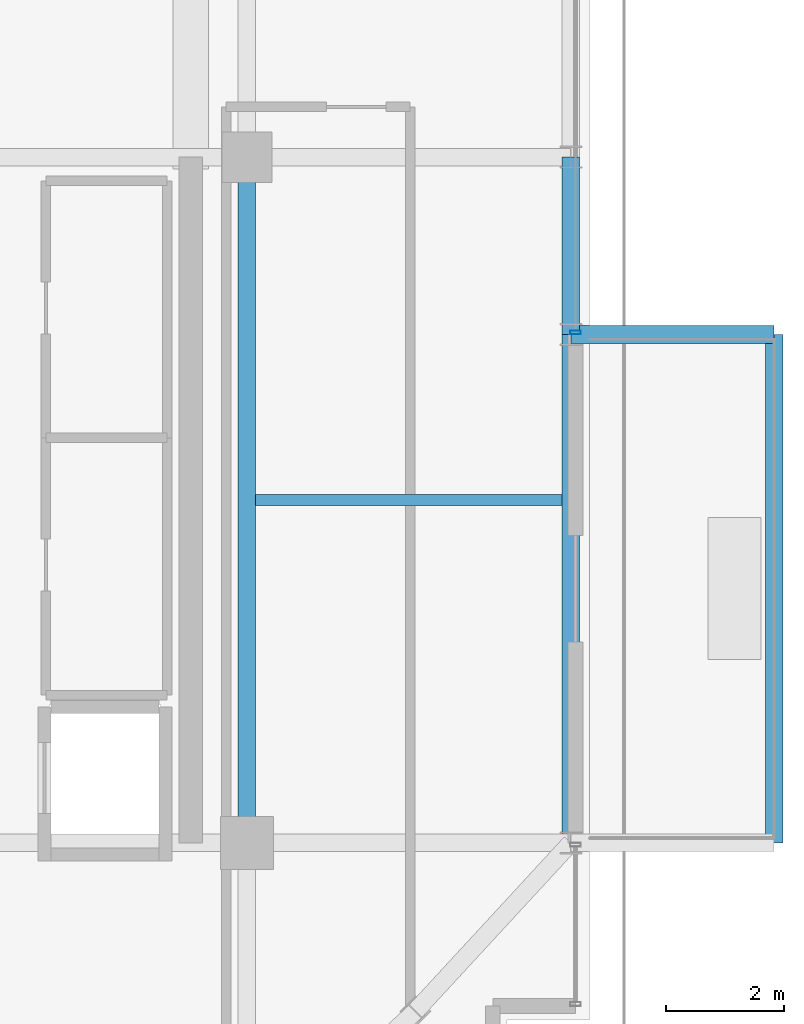
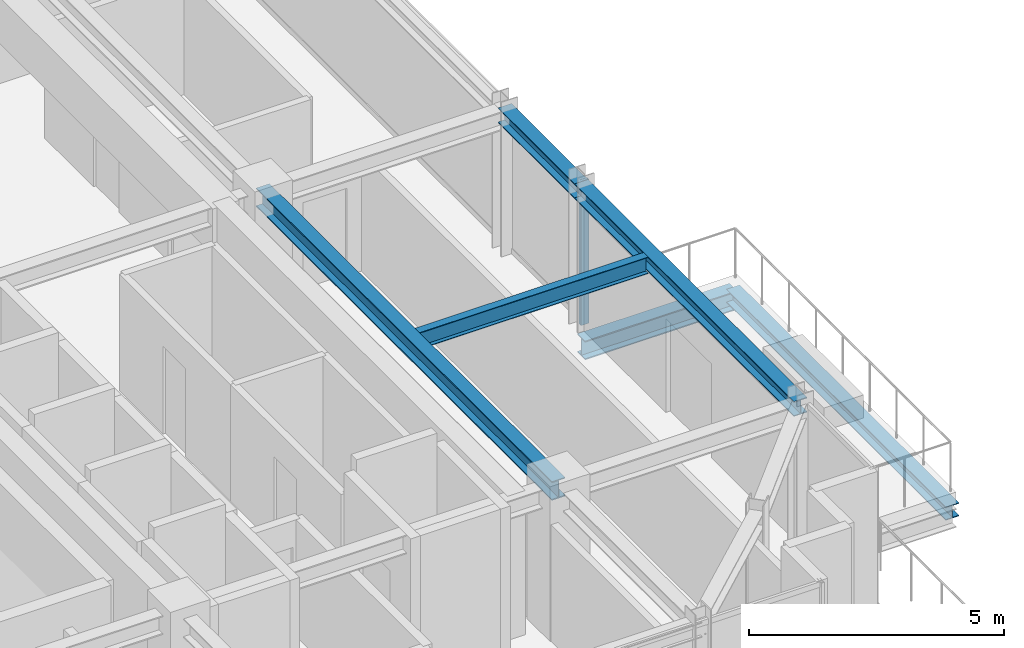
# One storey, part 13 of 32: 6 beams, 1 member, 1 element without a shape of its own.
"""IFC4 building model written with IfcOpenShell, lengths in metres."""

from ifc_helpers import new_model, si_unit, direction, frame, origin, origin_2d, place, context, subcontext, project, spatial, hollow_rectangle, i_section, extrude, source, transform, mapped, material, material_profile, profile_set, type_object, element, aggregate, save


model = new_model("IFC4")

# Units and contexts
model_context = context("Model", 3, precision=1e-05, world=origin(), true_north=direction((0.0, 1.0)))
body_context = subcontext(model_context, "Body", "Model", "MODEL_VIEW")
ifc_project = project(units=[si_unit("LENGTHUNIT", "METRE"), si_unit("AREAUNIT", "SQUARE_METRE"), si_unit("VOLUMEUNIT", "CUBIC_METRE"), si_unit("PLANEANGLEUNIT", "RADIAN"), si_unit("MASSUNIT", "GRAM", prefix="KILO")], contexts=[model_context])

# Site, building, storey
site_placement = place(None, origin())
site = spatial("IfcSite", under=ifc_project, at=site_placement, CompositionType="ELEMENT")
building_placement = place(site_placement, origin())
building = spatial("IfcBuilding", under=site, at=building_placement, Name="Nahalor Promenade Grand Hotel", CompositionType="ELEMENT")
storey_placement = place(building_placement, frame((0.0, 0.0, 266.300048828125)))
storey = spatial("IfcBuildingStorey", under=building, at=storey_placement, Name="L68", CompositionType="ELEMENT", Elevation=266.300048828125)

# Beams
ifc_material_1 = material(Name="Steel S355JR", Category="steel")
ifc_material_profile_1 = material_profile(ifc_material_1, i_section(OverallWidth=0.3, OverallDepth=0.32, WebThickness=0.0115, FlangeThickness=0.0205, at=origin_2d()), Name="HEB 320")
ifc_profile_set_1 = profile_set([ifc_material_profile_1], Name="Steel S355JR")
beam_type_1 = type_object("IfcBeamType", Name="Beam-BalcEdge-HEB320", PredefinedType="SPANDREL", material=ifc_profile_set_1)
shared_shape_1 = source(origin(), body_context, "Body", "SweptSolid", [
    extrude(i_section(OverallWidth=0.3, OverallDepth=0.32, WebThickness=0.0115, FlangeThickness=0.0205, at=origin_2d()), origin(), (0.0, 0.0, 1.0), 8.60009765625),
])
beam_1_placement = place(storey_placement, frame((25.919921875, -17.0, -0.43994140625), z_axis=(0.0, 1.0, 0.0), x_axis=(-1.0, 0.0, 0.0)))
element("IfcBeam", 1, at=beam_1_placement, inside=storey, type_object=beam_type_1, Name="BM-L68-BC-02-F", PredefinedType="SPANDREL", context=body_context, shape_type="MappedRepresentation", body=[
    mapped(shared_shape_1, transform((0.0, 0.0, 0.0), scale=1.0)),
])
ifc_material_profile_2 = material_profile(ifc_material_1, i_section(OverallWidth=0.3, OverallDepth=0.45, WebThickness=0.014, FlangeThickness=0.026, at=origin_2d()), Name="HEB 450")
ifc_profile_set_2 = profile_set([ifc_material_profile_2], Name="Steel S355JR")
beam_type_2 = type_object("IfcBeamType", Name="Beam-Outrigger-HEB450", PredefinedType="BEAM", material=ifc_profile_set_2)
shared_shape_2 = source(origin(), body_context, "Body", "SweptSolid", [
    extrude(i_section(OverallWidth=0.3, OverallDepth=0.45, WebThickness=0.014, FlangeThickness=0.026, at=origin_2d()), origin(), (0.0, 0.0, 1.0), 3.43994140625),
])
beam_2_placement = place(storey_placement, frame((22.47998046875, -8.39990234375, -0.505126953125), z_axis=(1.0, 0.0, 0.0), x_axis=(0.0, 1.0, 0.0)))
element("IfcBeam", 2, at=beam_2_placement, inside=storey, type_object=beam_type_2, Name="BM-L68-BC-02-2", PredefinedType="BEAM", context=body_context, shape_type="MappedRepresentation", body=[
    mapped(shared_shape_2, transform((0.0, 0.0, 0.0), scale=1.0)),
])
ifc_material_profile_3 = material_profile(ifc_material_1, i_section(OverallWidth=0.3, OverallDepth=0.45, WebThickness=0.014, FlangeThickness=0.026, at=origin_2d()), Name="HEB 450")
ifc_profile_set_3 = profile_set([ifc_material_profile_3], Name="Steel S355JR")
beam_type_3 = type_object("IfcBeamType", Name="Beam-Girder-HEB450", PredefinedType="BEAM", material=ifc_profile_set_3)
shared_shape_3 = source(origin(), body_context, "Body", "SweptSolid", [
    extrude(i_section(OverallWidth=0.3, OverallDepth=0.45, WebThickness=0.014, FlangeThickness=0.026, at=origin_2d()), origin(), (0.0, 0.0, 1.0), 11.60009765625),
])
beam_3_placement = place(storey_placement, frame((17.0, -17.0, 3.224853515625), z_axis=(0.0, 1.0, 0.0), x_axis=(-1.0, 0.0, 0.0)))
element("IfcBeam", 3, at=beam_3_placement, inside=storey, type_object=beam_type_3, Name="BM-L68-GY-5-1", PredefinedType="BEAM", context=body_context, shape_type="MappedRepresentation", body=[
    mapped(shared_shape_3, transform((0.0, 0.0, 0.0), scale=1.0)),
])
ifc_material_profile_4 = material_profile(ifc_material_1, i_section(OverallWidth=0.18, OverallDepth=0.4, WebThickness=0.0086, FlangeThickness=0.0135, at=origin_2d()), Name="IPE 400")
ifc_profile_set_4 = profile_set([ifc_material_profile_4], Name="Steel S355JR")
beam_type_4 = type_object("IfcBeamType", Name="Beam-Joist-IPE400", PredefinedType="JOIST", material=ifc_profile_set_4)
shared_shape_4 = source(origin(), body_context, "Body", "SweptSolid", [
    extrude(i_section(OverallWidth=0.18, OverallDepth=0.4, WebThickness=0.0086, FlangeThickness=0.0135, at=origin_2d()), origin(), (0.0, 0.0, 1.0), 5.18017578125),
])
beam_4_placement = place(storey_placement, frame((17.14990234375, -11.199951171875, 3.25), z_axis=(1.0, 0.0, 0.0), x_axis=(0.0, 1.0, 0.0)))
element("IfcBeam", 4, at=beam_4_placement, inside=storey, type_object=beam_type_4, Name="BM-L68-JSE-0-2", PredefinedType="JOIST", context=body_context, shape_type="MappedRepresentation", body=[
    mapped(shared_shape_4, transform((0.0, 0.0, 0.0), scale=1.0)),
])
ifc_material_profile_5 = material_profile(ifc_material_1, i_section(OverallWidth=0.3, OverallDepth=0.36, WebThickness=0.0125, FlangeThickness=0.0225, at=origin_2d()), Name="HEB 360")
ifc_profile_set_5 = profile_set([ifc_material_profile_5], Name="Steel S355JR")
beam_type_5 = type_object("IfcBeamType", Name="Beam-Spandrel-HEB360", PredefinedType="SPANDREL", material=ifc_profile_set_5)
shared_shape_5 = source(origin(), body_context, "Body", "SweptSolid", [
    extrude(i_section(OverallWidth=0.3, OverallDepth=0.36, WebThickness=0.0125, FlangeThickness=0.0225, at=origin_2d()), origin(), (0.0, 0.0, 1.0), 8.60009765625),
])
beam_5_placement = place(storey_placement, frame((22.47998046875, -17.0, 3.27001953125), z_axis=(0.0, 1.0, 0.0), x_axis=(-1.0, 0.0, 0.0)))
element("IfcBeam", 5, at=beam_5_placement, inside=storey, type_object=beam_type_5, Name="BM-L68-SP-E-0", PredefinedType="SPANDREL", context=body_context, shape_type="MappedRepresentation", body=[
    mapped(shared_shape_5, transform((0.0, 0.0, 0.0), scale=1.0)),
])
shared_shape_6 = source(origin(), body_context, "Body", "SweptSolid", [
    extrude(i_section(OverallWidth=0.3, OverallDepth=0.36, WebThickness=0.0125, FlangeThickness=0.0225, at=origin_2d()), origin(), (0.0, 0.0, 1.0), 3.0),
])
beam_6_placement = place(storey_placement, frame((22.47998046875, -8.39990234375, 3.27001953125), z_axis=(0.0, 1.0, 0.0), x_axis=(-1.0, 0.0, 0.0)))
element("IfcBeam", 6, at=beam_6_placement, inside=storey, type_object=beam_type_5, Name="BM-L68-SP-E-1", PredefinedType="SPANDREL", context=body_context, shape_type="MappedRepresentation", body=[
    mapped(shared_shape_6, transform((0.0, 0.0, 0.0), scale=1.0)),
])

# Curtain wall, member
ifc_material_2 = material(Name="Anodised Bronze Aluminium EN AW-6063 T6", Category="aluminium")
curtain_wall_type = type_object("IfcCurtainWallType", Name="CW2 Typical Hotel Flush Bronze Unitised Curtain Wall", PredefinedType="USERDEFINED", material=ifc_material_2)
curtain_wall_placement = place(storey_placement, origin())
curtain_wall = element("IfcCurtainWall", 7, at=curtain_wall_placement, inside=storey, type_object=curtain_wall_type, Name="L68 Curtain Wall CW-L68-E-3", ObjectType="UNITISED_CURTAIN_WALL", PredefinedType="USERDEFINED")
ifc_material_profile_6 = material_profile(ifc_material_2, hollow_rectangle(XDim=0.065, YDim=0.18, WallThickness=0.004, at=origin_2d()), Name="CWM 65x180x4")
ifc_profile_set_6 = profile_set([ifc_material_profile_6], Name="Anodised Bronze Aluminium EN AW-6063 T6")
member_type = type_object("IfcMemberType", Name="CWM2 Typical Bronze Mullion 65x180", PredefinedType="MULLION", material=ifc_profile_set_6)
shared_shape_7 = source(origin(), body_context, "Body", "SweptSolid", [
    extrude(hollow_rectangle(XDim=0.065, YDim=0.18, WallThickness=0.004, at=origin_2d()), origin(), (0.0, 0.0, 1.0), 3.449951171875),
])
member_placement = place(storey_placement, frame((22.56005859375, -8.367431640625, 0.0), z_axis=(0.0, 0.0, 1.0), x_axis=(0.0, 1.0, 0.0)))
member = element("IfcMember", 8, at=member_placement, type_object=member_type, Name="CW-L68-E-3 Mullion 0", PredefinedType="MULLION", context=body_context, shape_type="MappedRepresentation", body=[
    mapped(shared_shape_7, transform((0.0, 0.0, 0.0), scale=1.0)),
])
aggregate(curtain_wall, [member])

save(model, "model.ifc")
